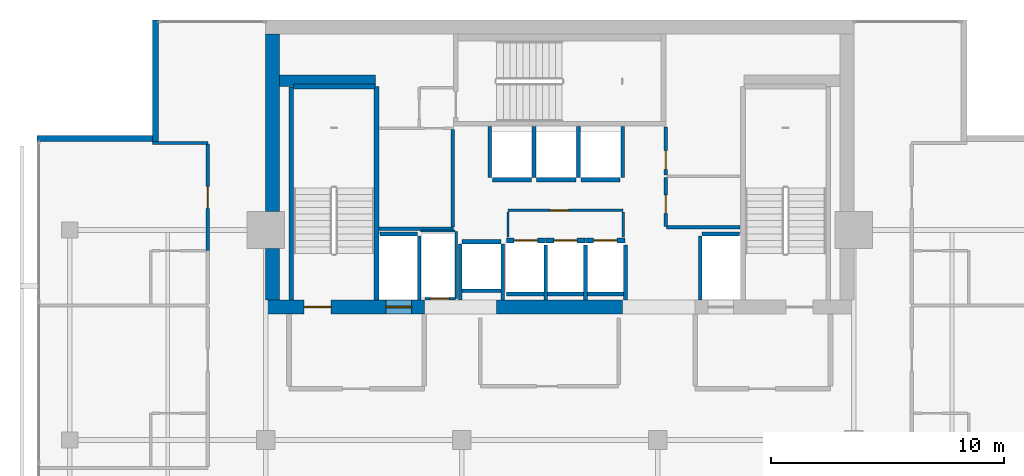
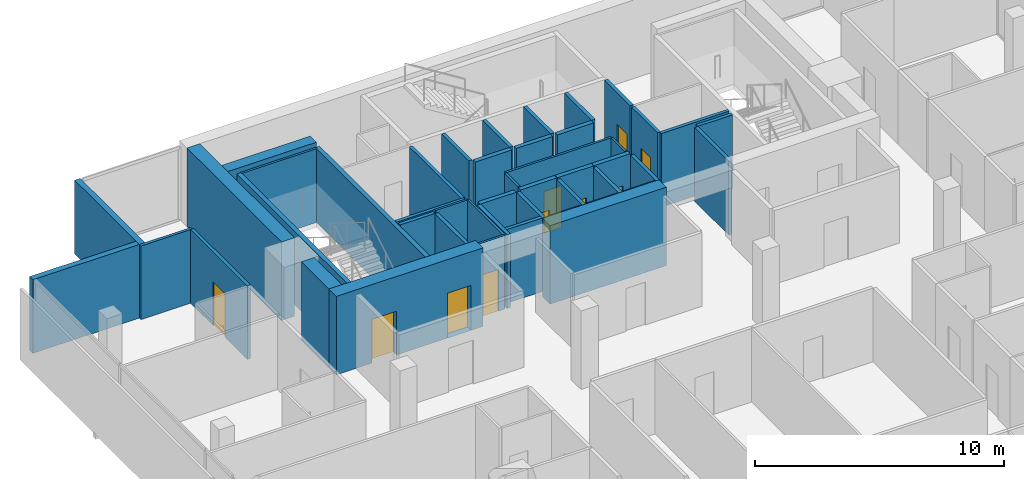
# One storey, part 22 of 26: 45 walls, 10 doors, 10 openings.
"""IFC4 building model written with IfcOpenShell, lengths in metres."""

import ifcopenshell
import ifcopenshell.guid

model = None  # the IFC model being written
_history = None  # IfcOwnerHistory: only IFC2X3 demands one
_inside = {}  # id of a spatial element -> (the spatial element, [elements in it])
_under = {}  # id of a project, library or spatial element -> (it, [spatial elements below it])
_declared = {}  # id of a project -> (the project, [libraries it declares])
_typed = {}  # id of a type object -> (the type object, [elements of that type])
_made_of = {}  # id of a material, layer set ... -> (it, [elements and type objects made of it])


def new_model(schema):
    """Start an empty IFC model of exactly this schema.

    Asked for "IFC4X3", IfcOpenShell would pick the latest addendum, in which some entities
    have other attributes; the version numbers below select the first issue.
    IFC2X3 requires an IfcOwnerHistory on every rooted entity: one is made here for all.
    """
    global model, _history
    if schema == "IFC4X3":
        model = ifcopenshell.file(schema_version=(4, 3, 0, 0))
    else:
        model = ifcopenshell.file(schema=schema)
    _inside.clear()
    _under.clear()
    _declared.clear()
    _typed.clear()
    _made_of.clear()
    _history = None
    if model.schema == "IFC2X3":
        org = make("IfcOrganization", Name="unknown")
        user = make(
            "IfcPersonAndOrganization",
            ThePerson=make("IfcPerson", FamilyName="unknown"),
            TheOrganization=org,
        )
        app = make(
            "IfcApplication",
            ApplicationDeveloper=org,
            Version="unknown",
            ApplicationFullName="unknown",
            ApplicationIdentifier="unknown",
        )
        _history = make(
            "IfcOwnerHistory",
            OwningUser=user,
            OwningApplication=app,
            ChangeAction="ADDED",
            CreationDate=0,
        )
    return model


def make(cls, **values):
    """One entity of the class cls with the attributes given. An attribute that is None is left unset."""
    return model.create_entity(
        cls, **{name: value for name, value in values.items() if value is not None}
    )


def rooted(cls, **values):
    """An entity with a GlobalId (a new one), such as an element, a storey or a relation."""
    return make(cls, GlobalId=ifcopenshell.guid.new(), OwnerHistory=_history, **values)


def si_unit(unit_type, name, prefix=None):
    """IfcSIUnit, for example si_unit("LENGTHUNIT", "METRE", prefix="MILLI")."""
    return make("IfcSIUnit", UnitType=unit_type, Prefix=prefix, Name=name)


def assignment(units):
    """IfcUnitAssignment: the units of a project."""
    return None if units is None else make("IfcUnitAssignment", Units=units)


def point(xyz):
    """IfcCartesianPoint."""
    return None if xyz is None else make("IfcCartesianPoint", Coordinates=xyz)


def direction(xyz):
    """IfcDirection."""
    return None if xyz is None else make("IfcDirection", DirectionRatios=xyz)


def frame(location, z_axis=None, x_axis=None):
    """IfcAxis2Placement3D, a coordinate frame: its origin and axes. An axis left out is left unset."""
    return make(
        "IfcAxis2Placement3D",
        Location=point(location),
        Axis=direction(z_axis),
        RefDirection=direction(x_axis),
    )


def frame_2d(location, x_axis=None):
    """IfcAxis2Placement2D, a coordinate frame in the plane: its origin and x axis."""
    return make(
        "IfcAxis2Placement2D", Location=point(location), RefDirection=direction(x_axis)
    )


def origin():
    """The frame at (0, 0, 0) with its axes left unset."""
    return frame((0.0, 0.0, 0.0))


def place(relative_to, where):
    """IfcLocalPlacement: puts the frame where relative to a parent placement (None: the world)."""
    return make(
        "IfcLocalPlacement", PlacementRelTo=relative_to, RelativePlacement=where
    )


def context(
    kind, dimensions, precision=None, world=None, true_north=None, identifier=None
):
    """IfcGeometricRepresentationContext, for example the 3D "Model" context."""
    return make(
        "IfcGeometricRepresentationContext",
        ContextIdentifier=identifier,
        ContextType=kind,
        CoordinateSpaceDimension=dimensions,
        Precision=precision,
        WorldCoordinateSystem=world,
        TrueNorth=true_north,
    )


def subcontext(parent, identifier, kind, view, scale=None):
    """IfcGeometricRepresentationSubContext, for example "Body" below "Model"."""
    return make(
        "IfcGeometricRepresentationSubContext",
        ContextIdentifier=identifier,
        ContextType=kind,
        ParentContext=parent,
        TargetScale=scale,
        TargetView=view,
    )


def project(units=None, contexts=None):
    """IfcProject with its units and contexts."""
    return rooted(
        "IfcProject",
        Name="project",
        RepresentationContexts=contexts,
        UnitsInContext=assignment(units),
    )


def spatial(cls, under=None, at=None, **own):
    """A site, building, storey or space (cls), placed at a placement, below another one or the project."""
    s = rooted(cls, ObjectPlacement=at, **own)
    if under is not None:
        _under.setdefault(under.id(), (under, []))[1].append(s)
    return s


def profile(cls, at=None, kind="AREA", **sizes):
    """A parametric profile (cls). Its sizes go by their IFC names, for example OverallWidth=200.0."""
    return make(cls, ProfileType=kind, Position=at, **sizes)


def rectangle(**sizes):
    """IfcRectangleProfileDef."""
    return profile("IfcRectangleProfileDef", **sizes)


def extrude(swept, where, along, depth):
    """IfcExtrudedAreaSolid: the profile swept, set in the frame where, extruded along a direction by depth."""
    return make(
        "IfcExtrudedAreaSolid",
        SweptArea=swept,
        Position=where,
        ExtrudedDirection=direction(along),
        Depth=depth,
    )


def shape(context_of_items, identifier, shape_type, items):
    """IfcShapeRepresentation: the items that make up one representation, for example the "Body"."""
    return make(
        "IfcShapeRepresentation",
        ContextOfItems=context_of_items,
        RepresentationIdentifier=identifier,
        RepresentationType=shape_type,
        Items=items,
    )


def material(Name=None, Category=None):
    """IfcMaterial."""
    return make("IfcMaterial", Name=Name, Category=Category)


def layer(
    of_material, thickness, ventilated=None, Name=None, Category=None, Priority=None
):
    """IfcMaterialLayer: one layer of a wall or slab, of a material (None: an air gap)."""
    return make(
        "IfcMaterialLayer",
        Material=of_material,
        LayerThickness=thickness,
        IsVentilated=ventilated,
        Name=Name,
        Category=Category,
        Priority=Priority,
    )


def layer_set(layers, Name=None):
    """IfcMaterialLayerSet."""
    return make("IfcMaterialLayerSet", MaterialLayers=layers, LayerSetName=Name)


def made_of(thing, what):
    """Note that an element or type object is made of a material, layer set ...; save() writes the relation."""
    if what is not None:
        _made_of.setdefault(what.id(), (what, []))[1].append(thing)
    return thing


def type_object(cls, material=None, **own):
    """A type object (cls), such as IfcWallType, which elements share."""
    return made_of(rooted(cls, **own), material)


def element(
    cls,
    number,
    at=None,
    inside=None,
    cuts=None,
    type_object=None,
    material=None,
    context=None,
    identifier="Body",
    shape_type=None,
    held_by="IfcProductDefinitionShape",
    body=None,
    shapes=None,
    **own,
):
    """One element of the class cls, such as IfcWall. Its Tag is "e" and its number.

    at: its placement. inside: the storey or other place that contains it. cuts: it is an
    opening in that element (IfcRelVoidsElement). A single representation is given by context,
    identifier, shape_type and body (its items); several are given by shapes. held_by: the class
    of the entity that holds the representations. save() writes the other relations.
    """
    e = rooted(cls, Tag="e%d" % number, ObjectPlacement=at, **own)
    if body is not None:
        shapes = [shape(context, identifier, shape_type, body)]
    if shapes is not None:
        e.Representation = make(held_by, Representations=shapes)
    if inside is not None:
        _inside.setdefault(inside.id(), (inside, []))[1].append(e)
    if cuts is not None:
        rooted(
            "IfcRelVoidsElement", RelatingBuildingElement=cuts, RelatedOpeningElement=e
        )
    if type_object is not None:
        _typed.setdefault(type_object.id(), (type_object, []))[1].append(e)
    return made_of(e, material)


def fill(opening, filler):
    """IfcRelFillsElement: the door or window that sits in an opening."""
    return rooted(
        "IfcRelFillsElement",
        RelatingOpeningElement=opening,
        RelatedBuildingElement=filler,
    )


def aggregate(whole, parts):
    """IfcRelAggregates: a whole, such as a stair, and the parts it consists of."""
    return rooted("IfcRelAggregates", RelatingObject=whole, RelatedObjects=parts)


def save(model, path):
    """Write the relations noted so far, then the file.

    IfcRelAggregates (storeys below a building ...), IfcRelContainedInSpatialStructure (elements
    in a storey), IfcRelDefinesByType, IfcRelAssociatesMaterial and IfcRelDeclares: one each for
    every whole, place, type object, material and project.
    """
    for whole, parts in _under.values():
        aggregate(whole, parts)
    for where, things in _inside.values():
        rooted(
            "IfcRelContainedInSpatialStructure",
            RelatedElements=things,
            RelatingStructure=where,
        )
    for kind, things in _typed.values():
        rooted("IfcRelDefinesByType", RelatedObjects=things, RelatingType=kind)
    for what, things in _made_of.values():
        rooted("IfcRelAssociatesMaterial", RelatedObjects=things, RelatingMaterial=what)
    for by, libraries in _declared.values():
        rooted("IfcRelDeclares", RelatingContext=by, RelatedDefinitions=libraries)
    model.write(path)


model = new_model("IFC4")

# Units and contexts
model_context = context("Model", 3, precision=1e-05, world=origin(), true_north=direction((0.0, 1.0)))
body_context = subcontext(model_context, "Body", "Model", "MODEL_VIEW")
ifc_project = project(units=[si_unit("LENGTHUNIT", "METRE"), si_unit("AREAUNIT", "SQUARE_METRE"), si_unit("VOLUMEUNIT", "CUBIC_METRE"), si_unit("PLANEANGLEUNIT", "RADIAN"), si_unit("MASSUNIT", "GRAM", prefix="KILO")], contexts=[model_context])

# Site, building, storey
site_placement = place(None, origin())
site = spatial("IfcSite", under=ifc_project, at=site_placement, CompositionType="ELEMENT")
building_placement = place(site_placement, origin())
building = spatial("IfcBuilding", under=site, at=building_placement, Name="Maruvema Waterfront Hotel and Observation Tower", CompositionType="ELEMENT")
storey_placement = place(building_placement, frame((0.0, 0.0, 258.64990234375)))
storey = spatial("IfcBuildingStorey", under=building, at=storey_placement, Name="L63", CompositionType="ELEMENT", Elevation=258.64990234375)

# Walls
ifc_material_1 = material(Name="Twin-stud acoustic gypsum drywall", Category="gypsum")
ifc_layer_1 = layer(ifc_material_1, 0.14990234375, Name="Acoustic Corridor and Suite Demising Wall 150 mm")
ifc_layer_set_1 = layer_set([ifc_layer_1], Name="Twin-stud acoustic gypsum drywall")
wall_type_1 = type_object("IfcWallType", Name="Acoustic Corridor and Suite Demising Wall 150 mm", PredefinedType="PARTITIONING", material=ifc_layer_set_1)
wall_1_placement = place(storey_placement, frame((30.06005859375, 45.06005859375, 0.0), z_axis=(0.0, 0.0, 1.0), x_axis=(1.0, 0.0, 0.0)))
element("IfcWall", 1, at=wall_1_placement, inside=storey, type_object=wall_type_1, Name="L63 Freed B1 South Wall 013", PredefinedType="PARTITIONING", context=body_context, shape_type="SweptSolid", body=[
    extrude(rectangle(XDim=3.179931640625, YDim=0.14990234375, at=frame_2d((1.58984375, 0.0))), origin(), (0.0, 0.0, 1.0), 3.610107421875),
])
wall_2_placement = place(storey_placement, frame((33.219970703125, 45.139892578125, 0.0), z_axis=(0.0, 0.0, 1.0), x_axis=(0.0, 1.0, 0.0)))
element("IfcWall", 2, at=wall_2_placement, inside=storey, type_object=wall_type_1, Name="L63 Freed B1 East Wall 014", PredefinedType="PARTITIONING", context=body_context, shape_type="SweptSolid", body=[
    extrude(rectangle(XDim=4.16015625, YDim=0.14990234375, at=frame_2d((2.080078125, 0.0))), origin(), (0.0, 0.0, 1.0), 3.610107421875),
])

# Wall, opening, door
wall_3_placement = place(storey_placement, frame((42.340087890625, 45.159912109375, 0.0), z_axis=(0.0, 0.0, 1.0), x_axis=(0.0, 1.0, 0.0)))
wall_3 = element("IfcWall", 3, at=wall_3_placement, inside=storey, type_object=wall_type_1, Name="L63 Freed B2 West S 018", PredefinedType="PARTITIONING", context=body_context, shape_type="SweptSolid", body=[
    extrude(rectangle(XDim=2.080078125, YDim=0.14990234375, at=frame_2d((1.0400390625, 0.0))), origin(), (0.0, 0.0, 1.0), 3.610107421875),
])
opening_1_placement = place(wall_3_placement, frame((0.550048828125, 0.0, 0.0)))
opening_1 = element("IfcOpeningElement", 4, at=opening_1_placement, cuts=wall_3, Name="Opening DR-080", PredefinedType="OPENING", context=body_context, shape_type="SweptSolid", body=[
    extrude(rectangle(XDim=0.800048828125, YDim=2.050048828125, at=frame_2d((0.39990234375, 1.02490234375))), frame((0.0, 0.0849609375, 0.0), z_axis=(0.0, -1.0, 0.0), x_axis=(1.0, 0.0, 0.0)), (0.0, 0.0, 1.0), 0.169921875),
])
ifc_material_2 = material(Name="Powder-coated steel access leaf", Category="steel")
door_type_1 = type_object("IfcDoorType", Name="Riser and Service Cupboard Door 800x2050 mm", OperationType="NOTDEFINED", PredefinedType="DOOR", material=ifc_material_2)
door_1_placement = place(opening_1_placement, frame((0.800048828125, 0.0, 0.0), z_axis=(0.0, 0.0, 1.0), x_axis=(-1.0, 0.0, 0.0)))
door_1 = element("IfcDoor", 5, at=door_1_placement, inside=storey, type_object=door_type_1, Name="L63 Butler Service Pantry Door", OperationType="SINGLE_SWING_LEFT", OverallHeight=2.050048828125, OverallWidth=0.800048828125, PredefinedType="DOOR", context=body_context, shape_type="SweptSolid", body=[
    extrude(rectangle(XDim=0.800048828125, YDim=2.050048828125, at=frame_2d((0.39990234375, 1.02490234375))), frame((0.0, 0.02490234375, 0.0), z_axis=(0.0, -1.0, 0.0), x_axis=(1.0, 0.0, 0.0)), (0.0, 0.0, 1.0), 0.050048828125),
])
fill(opening_1, door_1)

wall_4_placement = place(storey_placement, frame((42.340087890625, 47.360107421875, 0.0), z_axis=(0.0, 0.0, 1.0), x_axis=(0.0, 1.0, 0.0)))
wall_4 = element("IfcWall", 6, at=wall_4_placement, inside=storey, type_object=wall_type_1, Name="L63 Freed B2 West N 019", PredefinedType="PARTITIONING", context=body_context, shape_type="SweptSolid", body=[
    extrude(rectangle(XDim=2.059814453125, YDim=0.14990234375, at=frame_2d((1.02978515625, 0.0))), origin(), (0.0, 0.0, 1.0), 3.610107421875),
])
opening_2_placement = place(wall_4_placement, frame((0.239990234375, 0.0, 0.0)))
opening_2 = element("IfcOpeningElement", 7, at=opening_2_placement, cuts=wall_4, Name="Opening DR-080", PredefinedType="OPENING", context=body_context, shape_type="SweptSolid", body=[
    extrude(rectangle(XDim=0.800048828125, YDim=2.050048828125, at=frame_2d((0.39990234375, 1.02490234375))), frame((0.0, 0.0849609375, 0.0), z_axis=(0.0, -1.0, 0.0), x_axis=(1.0, 0.0, 0.0)), (0.0, 0.0, 1.0), 0.169921875),
])
door_2_placement = place(opening_2_placement, frame((0.800048828125, 0.0, 0.0), z_axis=(0.0, 0.0, 1.0), x_axis=(-1.0, 0.0, 0.0)))
door_2 = element("IfcDoor", 8, at=door_2_placement, inside=storey, type_object=door_type_1, Name="L63 Core IT and Linen Store Door", OperationType="SINGLE_SWING_RIGHT", OverallHeight=2.050048828125, OverallWidth=0.800048828125, PredefinedType="DOOR", context=body_context, shape_type="SweptSolid", body=[
    extrude(rectangle(XDim=0.800048828125, YDim=2.050048828125, at=frame_2d((0.39990234375, 1.02490234375))), frame((0.0, 0.02490234375, 0.0), z_axis=(0.0, -1.0, 0.0), x_axis=(1.0, 0.0, 0.0)), (0.0, 0.0, 1.0), 0.050048828125),
])
fill(opening_2, door_2)

# Wall
wall_5_placement = place(storey_placement, frame((42.3798828125, 45.1201171875, 0.0), z_axis=(0.0, 0.0, 1.0), x_axis=(1.0, 0.0, 0.0)))
element("IfcWall", 9, at=wall_5_placement, inside=storey, type_object=wall_type_1, Name="L63 Freed B2 South Wall 021", PredefinedType="PARTITIONING", context=body_context, shape_type="SweptSolid", body=[
    extrude(rectangle(XDim=3.14013671875, YDim=0.14990234375, at=frame_2d((1.570068359375, 0.0))), origin(), (0.0, 0.0, 1.0), 3.610107421875),
])

# Wall, opening, door
wall_6_placement = place(storey_placement, frame((22.719970703125, 44.11865234375, 0.0), z_axis=(0.0, 0.0, 1.0), x_axis=(0.0, 1.0, 0.0)))
wall_6 = element("IfcWall", 10, at=wall_6_placement, inside=storey, type_object=wall_type_1, Name="L63 Room L63-NW2 Corridor Wall 099", PredefinedType="PARTITIONING", context=body_context, shape_type="SweptSolid", body=[
    extrude(rectangle(XDim=4.558837890625, YDim=0.14990234375, at=frame_2d((2.279296875, 0.0))), origin(), (0.0, 0.0, 1.0), 3.610107421875),
])
opening_3_placement = place(wall_6_placement, frame((1.804443359375, 0.0, 0.0)))
opening_3 = element("IfcOpeningElement", 11, at=opening_3_placement, cuts=wall_6, Name="Opening DR-095", PredefinedType="OPENING", context=body_context, shape_type="SweptSolid", body=[
    extrude(rectangle(XDim=0.949951171875, YDim=2.14990234375, at=frame_2d((0.47509765625, 1.074951171875))), frame((0.0, 0.0849609375, 0.0), z_axis=(0.0, -1.0, 0.0), x_axis=(1.0, 0.0, 0.0)), (0.0, 0.0, 1.0), 0.169921875),
])
ifc_material_3 = material(Name="Acoustic solid-core hardwood timber leaf", Category="wood")
door_type_2 = type_object("IfcDoorType", Name="Guestroom Entrance Fire Door 950x2150 mm", OperationType="NOTDEFINED", PredefinedType="DOOR", material=ifc_material_3)
door_3_placement = place(opening_3_placement, origin())
door_3 = element("IfcDoor", 12, at=door_3_placement, inside=storey, type_object=door_type_2, Name="L63 Room L63-NW2 Entrance Door", OperationType="SINGLE_SWING_RIGHT", OverallHeight=2.14990234375, OverallWidth=0.949951171875, PredefinedType="DOOR", context=body_context, shape_type="SweptSolid", body=[
    extrude(rectangle(XDim=0.949951171875, YDim=2.14990234375, at=frame_2d((0.47509765625, 1.074951171875))), frame((0.0, 0.02490234375, 0.0), z_axis=(0.0, -1.0, 0.0), x_axis=(1.0, 0.0, 0.0)), (0.0, 0.0, 1.0), 0.050048828125),
])
fill(opening_3, door_3)

# Walls
ifc_material_4 = material(Name="Precast concrete C45/55", Category="concrete")
ifc_layer_2 = layer(ifc_material_4, 0.199951171875, Name="Core Shaft and Stairwell Enclosure Wall 200 mm")
ifc_layer_set_2 = layer_set([ifc_layer_2], Name="Precast concrete C45/55")
wall_type_2 = type_object("IfcWallType", Name="Core Shaft and Stairwell Enclosure Wall 200 mm", PredefinedType="SOLIDWALL", material=ifc_layer_set_2)
wall_7_placement = place(storey_placement, frame((29.949951171875, 42.0, 0.0), z_axis=(0.0, 0.0, 1.0), x_axis=(0.0, 1.0, 0.0)))
element("IfcWall", 13, at=wall_7_placement, inside=storey, type_object=wall_type_2, Name="L63 Stairwell ST-01 East Shaft Wall", PredefinedType="SOLIDWALL", context=body_context, shape_type="SweptSolid", body=[
    extrude(rectangle(XDim=9.14990234375, YDim=0.199951171875, at=frame_2d((4.574951171875, 0.0))), origin(), (0.0, 0.0, 1.0), 3.610107421875),
])
wall_8_placement = place(storey_placement, frame((26.300048828125, 42.0, 0.0), z_axis=(0.0, 0.0, 1.0), x_axis=(0.0, 1.0, 0.0)))
element("IfcWall", 14, at=wall_8_placement, inside=storey, type_object=wall_type_2, Name="L63 Stairwell ST-01 Shaft Lining Wall", PredefinedType="SOLIDWALL", context=body_context, shape_type="SweptSolid", body=[
    extrude(rectangle(XDim=9.1201171875, YDim=0.199951171875, at=frame_2d((4.56005859375, 0.0))), origin(), (0.0, 0.0, 1.0), 3.610107421875),
])
wall_9_placement = place(storey_placement, frame((26.3798828125, 51.14990234375, 0.0), z_axis=(0.0, 0.0, 1.0), x_axis=(1.0, 0.0, 0.0)))
element("IfcWall", 15, at=wall_9_placement, inside=storey, type_object=wall_type_2, Name="L63 Stairwell ST-01 Shaft Lining Wall", PredefinedType="SOLIDWALL", context=body_context, shape_type="SweptSolid", body=[
    extrude(rectangle(XDim=3.5, YDim=0.199951171875, at=frame_2d((1.75, 0.0))), origin(), (0.0, 0.0, 1.0), 3.610107421875),
])

# Wall, opening, door
wall_10_placement = place(storey_placement, frame((35.510009765625, 44.550048828125, 0.0), z_axis=(0.0, 0.0, 1.0), x_axis=(1.0, 0.0, 0.0)))
wall_10 = element("IfcWall", 16, at=wall_10_placement, inside=storey, type_object=wall_type_2, Name="L63 Lift LF-09 Hoistway Front Wall", PredefinedType="SOLIDWALL", context=body_context, shape_type="SweptSolid", body=[
    extrude(rectangle(XDim=1.679931640625, YDim=0.199951171875, at=frame_2d((0.83984375, 0.0))), origin(), (0.0, 0.0, 1.0), 3.610107421875),
])
opening_4_placement = place(wall_10_placement, frame((0.340087890625, 0.0, 0.0)))
opening_4 = element("IfcOpeningElement", 17, at=opening_4_placement, cuts=wall_10, Name="Opening LD-01", PredefinedType="OPENING", context=body_context, shape_type="SweptSolid", body=[
    extrude(rectangle(XDim=1.0, YDim=2.14990234375, at=frame_2d((0.5, 1.074951171875))), frame((0.0, 0.10986328125, 0.0), z_axis=(0.0, -1.0, 0.0), x_axis=(1.0, 0.0, 0.0)), (0.0, 0.0, 1.0), 0.219970703125),
])
ifc_material_5 = material(Name="Brushed stainless steel Grade 316", Category="steel")
door_type_3 = type_object("IfcDoorType", Name="Passenger Lift Sliding Landing Door 1000x2150 mm", OperationType="SLIDING_TO_LEFT", PredefinedType="DOOR", material=ifc_material_5)
door_4_placement = place(opening_4_placement, origin())
door_4 = element("IfcDoor", 18, at=door_4_placement, inside=storey, type_object=door_type_3, Name="L63 Lift LF-09 Sliding Landing Door", OperationType="SLIDING_TO_LEFT", OverallHeight=2.14990234375, OverallWidth=1.0, PredefinedType="DOOR", context=body_context, shape_type="SweptSolid", body=[
    extrude(rectangle(XDim=1.0, YDim=2.14990234375, at=frame_2d((0.5, 1.074951171875))), frame((0.0, 0.02490234375, 0.0), z_axis=(0.0, -1.0, 0.0), x_axis=(1.0, 0.0, 0.0)), (0.0, 0.0, 1.0), 0.050048828125),
])
fill(opening_4, door_4)

wall_11_placement = place(storey_placement, frame((37.2099609375, 44.550048828125, 0.0), z_axis=(0.0, 0.0, 1.0), x_axis=(1.0, 0.0, 0.0)))
wall_11 = element("IfcWall", 19, at=wall_11_placement, inside=storey, type_object=wall_type_2, Name="L63 Lift LF-10 Hoistway Front Wall", PredefinedType="SOLIDWALL", context=body_context, shape_type="SweptSolid", body=[
    extrude(rectangle(XDim=1.679931640625, YDim=0.199951171875, at=frame_2d((0.83984375, 0.0))), origin(), (0.0, 0.0, 1.0), 3.610107421875),
])
opening_5_placement = place(wall_11_placement, frame((0.340087890625, 0.0, 0.0)))
opening_5 = element("IfcOpeningElement", 20, at=opening_5_placement, cuts=wall_11, Name="Opening LD-01", PredefinedType="OPENING", context=body_context, shape_type="SweptSolid", body=[
    extrude(rectangle(XDim=1.0, YDim=2.14990234375, at=frame_2d((0.5, 1.074951171875))), frame((0.0, 0.10986328125, 0.0), z_axis=(0.0, -1.0, 0.0), x_axis=(1.0, 0.0, 0.0)), (0.0, 0.0, 1.0), 0.219970703125),
])
door_5_placement = place(opening_5_placement, origin())
door_5 = element("IfcDoor", 21, at=door_5_placement, inside=storey, type_object=door_type_3, Name="L63 Lift LF-10 Sliding Landing Door", OperationType="SLIDING_TO_LEFT", OverallHeight=2.14990234375, OverallWidth=1.0, PredefinedType="DOOR", context=body_context, shape_type="SweptSolid", body=[
    extrude(rectangle(XDim=1.0, YDim=2.14990234375, at=frame_2d((0.5, 1.074951171875))), frame((0.0, 0.02490234375, 0.0), z_axis=(0.0, -1.0, 0.0), x_axis=(1.0, 0.0, 0.0)), (0.0, 0.0, 1.0), 0.050048828125),
])
fill(opening_5, door_5)

wall_12_placement = place(storey_placement, frame((38.909912109375, 44.550048828125, 0.0), z_axis=(0.0, 0.0, 1.0), x_axis=(1.0, 0.0, 0.0)))
wall_12 = element("IfcWall", 22, at=wall_12_placement, inside=storey, type_object=wall_type_2, Name="L63 Lift LF-11 Hoistway Front Wall", PredefinedType="SOLIDWALL", context=body_context, shape_type="SweptSolid", body=[
    extrude(rectangle(XDim=1.68017578125, YDim=0.199951171875, at=frame_2d((0.840087890625, 0.0))), origin(), (0.0, 0.0, 1.0), 3.610107421875),
])
opening_6_placement = place(wall_12_placement, frame((0.340087890625, 0.0, 0.0)))
opening_6 = element("IfcOpeningElement", 23, at=opening_6_placement, cuts=wall_12, Name="Opening LD-01", PredefinedType="OPENING", context=body_context, shape_type="SweptSolid", body=[
    extrude(rectangle(XDim=1.0, YDim=2.14990234375, at=frame_2d((0.5, 1.074951171875))), frame((0.0, 0.10986328125, 0.0), z_axis=(0.0, -1.0, 0.0), x_axis=(1.0, 0.0, 0.0)), (0.0, 0.0, 1.0), 0.219970703125),
])
door_6_placement = place(opening_6_placement, origin())
door_6 = element("IfcDoor", 24, at=door_6_placement, inside=storey, type_object=door_type_3, Name="L63 Lift LF-11 Sliding Landing Door", OperationType="SLIDING_TO_LEFT", OverallHeight=2.14990234375, OverallWidth=1.0, PredefinedType="DOOR", context=body_context, shape_type="SweptSolid", body=[
    extrude(rectangle(XDim=1.0, YDim=2.14990234375, at=frame_2d((0.5, 1.074951171875))), frame((0.0, 0.02490234375, 0.0), z_axis=(0.0, -1.0, 0.0), x_axis=(1.0, 0.0, 0.0)), (0.0, 0.0, 1.0), 0.050048828125),
])
fill(opening_6, door_6)

# Walls
wall_13_placement = place(storey_placement, frame((34.909912109375, 47.14990234375, 0.0), z_axis=(0.0, 0.0, 1.0), x_axis=(1.0, 0.0, 0.0)))
element("IfcWall", 25, at=wall_13_placement, inside=storey, type_object=wall_type_2, Name="L63 Lift LF-12 Hoistway Front Wall", PredefinedType="SOLIDWALL", context=body_context, shape_type="SweptSolid", body=[
    extrude(rectangle(XDim=1.68017578125, YDim=0.199951171875, at=frame_2d((0.840087890625, 0.0))), origin(), (0.0, 0.0, 1.0), 3.610107421875),
])
for number, where, z_axis, x_axis, name in (
    (26, (36.81005859375, 47.14990234375, 0.0), (0.0, 0.0, 1.0), (1.0, 0.0, 0.0), "L63 Lift LF-13 Hoistway Front Wall"),
    (27, (38.7099609375, 47.14990234375, 0.0), (0.0, 0.0, 1.0), (1.0, 0.0, 0.0), "L63 Lift LF-14 Hoistway Front Wall"),
    (28, (33.610107421875, 44.5, 0.0), (0.0, 0.0, 1.0), (1.0, 0.0, 0.0), "L63 Lift LF-15 Hoistway Front Wall"),
):
    element("IfcWall", number, at=place(storey_placement, frame(where, z_axis=z_axis, x_axis=x_axis)), inside=storey, type_object=wall_type_2, Name=name, PredefinedType="SOLIDWALL", context=body_context, shape_type="SweptSolid", body=[
        extrude(rectangle(XDim=1.679931640625, YDim=0.199951171875, at=frame_2d((0.83984375, 0.0))), origin(), (0.0, 0.0, 1.0), 3.610107421875),
    ])
ifc_material_6 = material(Name="Concrete C70/85", Category="concrete")
ifc_layer_3 = layer(ifc_material_6, 0.5, Name="Core Shear Wall 500 mm")
ifc_layer_set_3 = layer_set([ifc_layer_3], Name="Concrete C70/85")
wall_type_3 = type_object("IfcWallType", Name="Core Shear Wall 500 mm", PredefinedType="SHEAR", material=ifc_layer_set_3)
wall_14_placement = place(storey_placement, frame((25.800048828125, 51.39990234375, 0.0), z_axis=(0.0, 0.0, 1.0), x_axis=(1.0, 0.0, 0.0)))
element("IfcWall", 29, at=wall_14_placement, inside=storey, type_object=wall_type_3, Name="L63 Internal Core Shear Wall NW 500 mm", PredefinedType="SHEAR", context=body_context, shape_type="SweptSolid", body=[
    extrude(rectangle(XDim=4.099853515625, YDim=0.5, at=frame_2d((2.0498046875, 0.0))), origin(), (0.0, 0.0, 1.0), 3.85009765625),
])

# Wall, openings, doors
ifc_material_7 = material(Name="Concrete C60/75", Category="concrete")
ifc_layer_4 = layer(ifc_material_7, 0.60009765625, Name="Core Shear Wall 600 mm")
ifc_layer_set_4 = layer_set([ifc_layer_4], Name="Concrete C60/75")
wall_type_4 = type_object("IfcWallType", Name="Core Shear Wall 600 mm", PredefinedType="SHEAR", material=ifc_layer_set_4)
wall_15_placement = place(storey_placement, frame((25.199951171875, 41.699951171875, 0.0), z_axis=(0.0, 0.0, 1.0), x_axis=(1.0, 0.0, 0.0)))
wall_15 = element("IfcWall", 30, at=wall_15_placement, inside=storey, type_object=wall_type_4, Name="L63 South-West Core Shear Wall", PredefinedType="SHEAR", context=body_context, shape_type="SweptSolid", body=[
    extrude(rectangle(XDim=6.800048828125, YDim=0.60009765625, at=frame_2d((3.39990234375, 0.0))), origin(), (0.0, 0.0, 1.0), 3.85009765625),
])
opening_7_placement = place(wall_15_placement, frame((1.64990234375, 0.0, 0.0)))
opening_7 = element("IfcOpeningElement", 31, at=opening_7_placement, cuts=wall_15, Name="Opening SD-01", PredefinedType="OPENING", context=body_context, shape_type="SweptSolid", body=[
    extrude(rectangle(XDim=1.14990234375, YDim=2.14990234375, at=frame_2d((0.574951171875, 1.074951171875))), frame((0.0, 0.31005859375, 0.0), z_axis=(0.0, -1.0, 0.0), x_axis=(1.0, 0.0, 0.0)), (0.0, 0.0, 1.0), 0.6201171875),
])
opening_8_placement = place(wall_15_placement, frame((5.14990234375, 0.0, 0.0)))
opening_8 = element("IfcOpeningElement", 32, at=opening_8_placement, cuts=wall_15, Name="Opening LD-03", PredefinedType="OPENING", context=body_context, shape_type="SweptSolid", body=[
    extrude(rectangle(XDim=1.10009765625, YDim=2.199951171875, at=frame_2d((0.550048828125, 1.10009765625))), frame((0.0, 0.31005859375, 0.0), z_axis=(0.0, -1.0, 0.0), x_axis=(1.0, 0.0, 0.0)), (0.0, 0.0, 1.0), 0.6201171875),
])
ifc_material_8 = material(Name="Fire-rated galvanised steel leaf", Category="steel")
door_type_4 = type_object("IfcDoorType", Name="Exit Stair Fire Door 1150x2150 mm", OperationType="NOTDEFINED", PredefinedType="DOOR", material=ifc_material_8)
door_7_placement = place(opening_7_placement, origin())
door_7 = element("IfcDoor", 33, at=door_7_placement, inside=storey, type_object=door_type_4, Name="L63 Exit Stair ST-01 Fire Door", OperationType="SINGLE_SWING_LEFT", OverallHeight=2.14990234375, OverallWidth=1.14990234375, PredefinedType="DOOR", context=body_context, shape_type="SweptSolid", body=[
    extrude(rectangle(XDim=1.14990234375, YDim=2.14990234375, at=frame_2d((0.574951171875, 1.074951171875))), frame((0.0, 0.02490234375, 0.0), z_axis=(0.0, -1.0, 0.0), x_axis=(1.0, 0.0, 0.0)), (0.0, 0.0, 1.0), 0.050048828125),
])
fill(opening_7, door_7)
ifc_material_9 = material(Name="Brushed stainless steel Grade 316", Category="steel")
door_type_5 = type_object("IfcDoorType", Name="Firefighting Lift Sliding Landing Door 1100x2200 mm", OperationType="SLIDING_TO_LEFT", PredefinedType="DOOR", material=ifc_material_9)
door_8_placement = place(opening_8_placement, frame((1.10009765625, 0.0, 0.0), z_axis=(0.0, 0.0, 1.0), x_axis=(-1.0, 0.0, 0.0)))
door_8 = element("IfcDoor", 34, at=door_8_placement, inside=storey, type_object=door_type_5, Name="L63 Firefighting Lift FL-01 Landing Door", OperationType="SLIDING_TO_LEFT", OverallHeight=2.199951171875, OverallWidth=1.10009765625, PredefinedType="DOOR", context=body_context, shape_type="SweptSolid", body=[
    extrude(rectangle(XDim=1.10009765625, YDim=2.199951171875, at=frame_2d((0.550048828125, 1.10009765625))), frame((0.0, 0.02490234375, 0.0), z_axis=(0.0, -1.0, 0.0), x_axis=(1.0, 0.0, 0.0)), (0.0, 0.0, 1.0), 0.050048828125),
])
fill(opening_8, door_8)

# Walls
wall_16_placement = place(storey_placement, frame((35.10009765625, 41.699951171875, 0.0), z_axis=(0.0, 0.0, 1.0), x_axis=(1.0, 0.0, 0.0)))
element("IfcWall", 35, at=wall_16_placement, inside=storey, type_object=wall_type_4, Name="L63 South-Central Core Shear Wall", PredefinedType="SHEAR", context=body_context, shape_type="SweptSolid", body=[
    extrude(rectangle(XDim=5.39990234375, YDim=0.60009765625, at=frame_2d((2.699951171875, 0.0))), origin(), (0.0, 0.0, 1.0), 3.85009765625),
])
wall_17_placement = place(storey_placement, frame((25.5, 42.0, 0.0), z_axis=(0.0, 0.0, 1.0), x_axis=(0.0, 1.0, 0.0)))
element("IfcWall", 36, at=wall_17_placement, inside=storey, type_object=wall_type_4, Name="L63 West-South Core Shear Wall", PredefinedType="SHEAR", context=body_context, shape_type="SweptSolid", body=[
    extrude(rectangle(XDim=2.199951171875, YDim=0.60009765625, at=frame_2d((1.10009765625, 0.0))), origin(), (0.0, 0.0, 1.0), 3.85009765625),
])
wall_18_placement = place(storey_placement, frame((25.5, 45.800048828125, 0.0), z_axis=(0.0, 0.0, 1.0), x_axis=(0.0, 1.0, 0.0)))
element("IfcWall", 37, at=wall_18_placement, inside=storey, type_object=wall_type_4, Name="L63 West-North Core Shear Wall", PredefinedType="SHEAR", context=body_context, shape_type="SweptSolid", body=[
    extrude(rectangle(XDim=7.599853515625, YDim=0.60009765625, at=frame_2d((3.7998046875, 0.0))), origin(), (0.0, 0.0, 1.0), 3.85009765625),
])

# Wall, opening, door
ifc_material_10 = material(Name="Moisture-resistant cement-board drywall", Category="gypsum")
ifc_layer_5 = layer(ifc_material_10, 0.10009765625, Name="En-Suite Moisture-Resistant Partition 100 mm")
ifc_layer_set_5 = layer_set([ifc_layer_5], Name="Moisture-resistant cement-board drywall")
wall_type_5 = type_object("IfcWallType", Name="En-Suite Moisture-Resistant Partition 100 mm", PredefinedType="PARTITIONING", material=ifc_layer_set_5)
wall_19_placement = place(storey_placement, frame((32.02001953125, 42.06005859375, 0.0), z_axis=(0.0, 0.0, 1.0), x_axis=(1.0, 0.0, 0.0)))
wall_19 = element("IfcWall", 38, at=wall_19_placement, inside=storey, type_object=wall_type_5, Name="L63 Telecom Riser South Wall 007", PredefinedType="PARTITIONING", context=body_context, shape_type="SweptSolid", body=[
    extrude(rectangle(XDim=1.320068359375, YDim=0.10009765625, at=frame_2d((0.66015625, 0.0))), origin(), (0.0, 0.0, 1.0), 3.610107421875),
])
opening_9_placement = place(wall_19_placement, frame((0.239990234375, 0.0, 0.0)))
opening_9 = element("IfcOpeningElement", 39, at=opening_9_placement, cuts=wall_19, Name="Opening DR-080", PredefinedType="OPENING", context=body_context, shape_type="SweptSolid", body=[
    extrude(rectangle(XDim=0.800048828125, YDim=2.050048828125, at=frame_2d((0.39990234375, 1.02490234375))), frame((0.0, 0.06005859375, 0.0), z_axis=(0.0, -1.0, 0.0), x_axis=(1.0, 0.0, 0.0)), (0.0, 0.0, 1.0), 0.1201171875),
])
door_9_placement = place(opening_9_placement, frame((0.800048828125, 0.0, 0.0), z_axis=(0.0, 0.0, 1.0), x_axis=(-1.0, 0.0, 0.0)))
door_9 = element("IfcDoor", 40, at=door_9_placement, inside=storey, type_object=door_type_1, Name="L63 Telecom Riser Door", OperationType="SINGLE_SWING_LEFT", OverallHeight=2.050048828125, OverallWidth=0.800048828125, PredefinedType="DOOR", context=body_context, shape_type="SweptSolid", body=[
    extrude(rectangle(XDim=0.800048828125, YDim=2.050048828125, at=frame_2d((0.39990234375, 1.02490234375))), frame((0.0, 0.02490234375, 0.0), z_axis=(0.0, -1.0, 0.0), x_axis=(1.0, 0.0, 0.0)), (0.0, 0.0, 1.0), 0.050048828125),
])
fill(opening_9, door_9)

# Walls
wall_20_placement = place(storey_placement, frame((31.840087890625, 44.9599609375, 0.0), z_axis=(0.0, 0.0, 1.0), x_axis=(1.0, 0.0, 0.0)))
element("IfcWall", 41, at=wall_20_placement, inside=storey, type_object=wall_type_5, Name="L63 Telecom Riser North Wall 008", PredefinedType="PARTITIONING", context=body_context, shape_type="SweptSolid", body=[
    extrude(rectangle(XDim=1.47998046875, YDim=0.10009765625, at=frame_2d((0.739990234375, 0.0))), origin(), (0.0, 0.0, 1.0), 3.610107421875),
])
wall_21_placement = place(storey_placement, frame((33.360107421875, 42.06005859375, 0.0), z_axis=(0.0, 0.0, 1.0), x_axis=(0.0, 1.0, 0.0)))
element("IfcWall", 42, at=wall_21_placement, inside=storey, type_object=wall_type_5, Name="L63 Telecom Riser East Wall 009", PredefinedType="PARTITIONING", context=body_context, shape_type="SweptSolid", body=[
    extrude(rectangle(XDim=2.8798828125, YDim=0.10009765625, at=frame_2d((1.43994140625, 0.0))), origin(), (0.0, 0.0, 1.0), 3.610107421875),
])

# Wall, opening, door
wall_22_placement = place(storey_placement, frame((35.580078125, 45.840087890625, 0.0), z_axis=(0.0, 0.0, 1.0), x_axis=(1.0, 0.0, 0.0)))
wall_22 = element("IfcWall", 43, at=wall_22_placement, inside=storey, type_object=wall_type_5, Name="L63 Core Closet K0 North 010", PredefinedType="PARTITIONING", context=body_context, shape_type="SweptSolid", body=[
    extrude(rectangle(XDim=4.93994140625, YDim=0.10009765625, at=frame_2d((2.469970703125, 0.0))), origin(), (0.0, 0.0, 1.0), 3.610107421875),
])
opening_10_placement = place(wall_22_placement, frame((1.800048828125, 0.0, 0.0)))
opening_10 = element("IfcOpeningElement", 44, at=opening_10_placement, cuts=wall_22, Name="Opening DR-080", PredefinedType="OPENING", context=body_context, shape_type="SweptSolid", body=[
    extrude(rectangle(XDim=0.800048828125, YDim=2.050048828125, at=frame_2d((0.39990234375, 1.02490234375))), frame((0.0, 0.06005859375, 0.0), z_axis=(0.0, -1.0, 0.0), x_axis=(1.0, 0.0, 0.0)), (0.0, 0.0, 1.0), 0.1201171875),
])
door_10_placement = place(opening_10_placement, origin())
door_10 = element("IfcDoor", 45, at=door_10_placement, inside=storey, type_object=door_type_1, Name="L63 Core Electrical Closet Door", OperationType="SINGLE_SWING_RIGHT", OverallHeight=2.050048828125, OverallWidth=0.800048828125, PredefinedType="DOOR", context=body_context, shape_type="SweptSolid", body=[
    extrude(rectangle(XDim=0.800048828125, YDim=2.050048828125, at=frame_2d((0.39990234375, 1.02490234375))), frame((0.0, 0.02490234375, 0.0), z_axis=(0.0, -1.0, 0.0), x_axis=(1.0, 0.0, 0.0)), (0.0, 0.0, 1.0), 0.050048828125),
])
fill(opening_10, door_10)

# Walls
for number, where, z_axis, x_axis, name in (
    (46, (35.580078125, 44.699951171875, 0.0), (0.0, 0.0, 1.0), (0.0, 1.0, 0.0), "L63 Core Closet K0 West 011"),
    (47, (40.52001953125, 44.699951171875, 0.0), (0.0, 0.0, 1.0), (0.0, 1.0, 0.0), "L63 Core Closet K0 East 012"),
):
    element("IfcWall", number, at=place(storey_placement, frame(where, z_axis=z_axis, x_axis=x_axis)), inside=storey, type_object=wall_type_5, Name=name, PredefinedType="PARTITIONING", context=body_context, shape_type="SweptSolid", body=[
        extrude(rectangle(XDim=1.080078125, YDim=0.10009765625, at=frame_2d((0.5400390625, 0.0))), origin(), (0.0, 0.0, 1.0), 3.610107421875),
    ])
ifc_material_11 = material(Name="Precast concrete C45/55 with honed Pernambuco granite facing", Category="masonry")
ifc_layer_6 = layer(ifc_material_11, 0.260009765625, Name="Exterior Granite Clad Spandrel and Pier Wall 260 mm")
ifc_layer_set_6 = layer_set([ifc_layer_6], Name="Precast concrete C45/55 with honed Pernambuco granite facing")
wall_type_6 = type_object("IfcWallType", Name="Exterior Granite Clad Spandrel and Pier Wall 260 mm", PredefinedType="SOLIDWALL", material=ifc_layer_set_6)
wall_23_placement = place(storey_placement, frame((20.469970703125, 48.800048828125, 0.0), z_axis=(0.0, 0.0, 1.0), x_axis=(0.0, 1.0, 0.0)))
element("IfcWall", 48, at=wall_23_placement, inside=storey, type_object=wall_type_6, Name="L63 Corner Notch Granite Pier Wall NW1", PredefinedType="SOLIDWALL", context=body_context, shape_type="SweptSolid", body=[
    extrude(rectangle(XDim=5.199951171875, YDim=0.260009765625, at=frame_2d((2.60009765625, 0.0))), origin(), (0.0, 0.0, 1.0), 3.610107421875),
])
wall_24_placement = place(storey_placement, frame((15.39990234375, 48.929931640625, 0.0), z_axis=(0.0, 0.0, 1.0), x_axis=(1.0, 0.0, 0.0)))
element("IfcWall", 49, at=wall_24_placement, inside=storey, type_object=wall_type_6, Name="L63 Corner Notch Granite Pier Wall NW2", PredefinedType="SOLIDWALL", context=body_context, shape_type="SweptSolid", body=[
    extrude(rectangle(XDim=5.2001953125, YDim=0.260009765625, at=frame_2d((2.60009765625, 0.0))), origin(), (0.0, 0.0, 1.0), 3.610107421875),
])
ifc_material_12 = material(Name="Acoustic gypsum plasterboard drywall", Category="gypsum")
ifc_layer_7 = layer(ifc_material_12, 0.125, Name="Guestroom Acoustic Demising Wall 125 mm")
ifc_layer_set_7 = layer_set([ifc_layer_7], Name="Acoustic gypsum plasterboard drywall")
wall_type_7 = type_object("IfcWallType", Name="Guestroom Acoustic Demising Wall 125 mm", PredefinedType="PARTITIONING", material=ifc_layer_set_7)
wall_25_placement = place(storey_placement, frame((20.340087890625, 48.737548828125, 0.0), z_axis=(0.0, 0.0, 1.0), x_axis=(1.0, 0.0, 0.0)))
element("IfcWall", 50, at=wall_25_placement, inside=storey, type_object=wall_type_7, Name="L63 Z3 NW Top End 086", PredefinedType="PARTITIONING", context=body_context, shape_type="SweptSolid", body=[
    extrude(rectangle(XDim=2.3798828125, YDim=0.125, at=frame_2d((1.18994140625, 0.0))), origin(), (0.0, 0.0, 1.0), 3.610107421875),
])
ifc_material_13 = material(Name="Precast concrete C45/55", Category="concrete")
ifc_layer_8 = layer(ifc_material_13, 0.159912109375, Name="Lift Hoistway Divider Wall 160 mm")
ifc_layer_set_8 = layer_set([ifc_layer_8], Name="Precast concrete C45/55")
wall_type_8 = type_object("IfcWallType", Name="Lift Hoistway Divider Wall 160 mm", PredefinedType="SOLIDWALL", material=ifc_layer_set_8)
wall_26_placement = place(storey_placement, frame((30.10009765625, 44.830078125, 0.0), z_axis=(0.0, 0.0, 1.0), x_axis=(1.0, 0.0, 0.0)))
element("IfcWall", 51, at=wall_26_placement, inside=storey, type_object=wall_type_8, Name="L63 Lift FL-01 Rear Hoistway Wall", PredefinedType="SOLIDWALL", context=body_context, shape_type="SweptSolid", body=[
    extrude(rectangle(XDim=1.599853515625, YDim=0.159912109375, at=frame_2d((0.7998046875, 0.0))), origin(), (0.0, 0.0, 1.0), 3.610107421875),
])
wall_27_placement = place(storey_placement, frame((31.780029296875, 42.0, 0.0), z_axis=(0.0, 0.0, 1.0), x_axis=(0.0, 1.0, 0.0)))
element("IfcWall", 52, at=wall_27_placement, inside=storey, type_object=wall_type_8, Name="L63 Lift FL-01 Inner Hoistway Wall", PredefinedType="SOLIDWALL", context=body_context, shape_type="SweptSolid", body=[
    extrude(rectangle(XDim=2.739990234375, YDim=0.159912109375, at=frame_2d((1.3701171875, 0.0))), origin(), (0.0, 0.0, 1.0), 3.610107421875),
])
wall_28_placement = place(storey_placement, frame((43.89990234375, 44.830078125, 0.0), z_axis=(0.0, 0.0, 1.0), x_axis=(1.0, 0.0, 0.0)))
element("IfcWall", 53, at=wall_28_placement, inside=storey, type_object=wall_type_8, Name="L63 Lift FL-02 Rear Hoistway Wall", PredefinedType="SOLIDWALL", context=body_context, shape_type="SweptSolid", body=[
    extrude(rectangle(XDim=1.60009765625, YDim=0.159912109375, at=frame_2d((0.800048828125, 0.0))), origin(), (0.0, 0.0, 1.0), 3.610107421875),
])
wall_29_placement = place(storey_placement, frame((43.820068359375, 42.0, 0.0), z_axis=(0.0, 0.0, 1.0), x_axis=(0.0, 1.0, 0.0)))
element("IfcWall", 54, at=wall_29_placement, inside=storey, type_object=wall_type_8, Name="L63 Lift FL-02 Inner Hoistway Wall", PredefinedType="SOLIDWALL", context=body_context, shape_type="SweptSolid", body=[
    extrude(rectangle(XDim=2.739990234375, YDim=0.159912109375, at=frame_2d((1.3701171875, 0.0))), origin(), (0.0, 0.0, 1.0), 3.610107421875),
])
for number, where, z_axis, x_axis, name in (
    (55, (37.199951171875, 42.0, 0.0), (0.0, 0.0, 1.0), (0.0, 1.0, 0.0), "L63 Hoistway Divider Wall"),
    (56, (38.89990234375, 42.0, 0.0), (0.0, 0.0, 1.0), (0.0, 1.0, 0.0), "L63 Hoistway Divider Wall"),
    (57, (40.6201171875, 42.0, 0.0), (0.0, 0.0, 1.0), (0.0, 1.0, 0.0), "L63 Hoistway Divider Wall"),
):
    element("IfcWall", number, at=place(storey_placement, frame(where, z_axis=z_axis, x_axis=x_axis)), inside=storey, type_object=wall_type_8, Name=name, PredefinedType="SOLIDWALL", context=body_context, shape_type="SweptSolid", body=[
        extrude(rectangle(XDim=2.35009765625, YDim=0.159912109375, at=frame_2d((1.175048828125, 0.0))), origin(), (0.0, 0.0, 1.0), 3.610107421875),
    ])
wall_30_placement = place(storey_placement, frame((35.52001953125, 42.260009765625, 0.0), z_axis=(0.0, 0.0, 1.0), x_axis=(1.0, 0.0, 0.0)))
element("IfcWall", 58, at=wall_30_placement, inside=storey, type_object=wall_type_8, Name="L63 Hoistway Divider Wall", PredefinedType="SOLIDWALL", context=body_context, shape_type="SweptSolid", body=[
    extrude(rectangle(XDim=5.02001953125, YDim=0.159912109375, at=frame_2d((2.510009765625, 0.0))), origin(), (0.0, 0.0, 1.0), 3.610107421875),
])
for number, where, z_axis, x_axis, name in (
    (59, (34.800048828125, 47.25, 0.0), (0.0, 0.0, 1.0), (0.0, 1.0, 0.0), "L63 Hoistway Divider Wall"),
    (60, (36.699951171875, 47.25, 0.0), (0.0, 0.0, 1.0), (0.0, 1.0, 0.0), "L63 Hoistway Divider Wall"),
    (61, (38.60009765625, 47.25, 0.0), (0.0, 0.0, 1.0), (0.0, 1.0, 0.0), "L63 Hoistway Divider Wall"),
    (62, (40.5, 47.25, 0.0), (0.0, 0.0, 1.0), (0.0, 1.0, 0.0), "L63 Hoistway Divider Wall"),
):
    element("IfcWall", number, at=place(storey_placement, frame(where, z_axis=z_axis, x_axis=x_axis)), inside=storey, type_object=wall_type_8, Name=name, PredefinedType="SOLIDWALL", context=body_context, shape_type="SweptSolid", body=[
        extrude(rectangle(XDim=2.18994140625, YDim=0.159912109375, at=frame_2d((1.094970703125, 0.0))), origin(), (0.0, 0.0, 1.0), 3.610107421875),
    ])
for number, where, z_axis, x_axis, name in (
    (63, (33.5400390625, 42.0, 0.0), (0.0, 0.0, 1.0), (0.0, 1.0, 0.0), "L63 Hoistway Divider Wall"),
    (64, (35.360107421875, 42.0, 0.0), (0.0, 0.0, 1.0), (0.0, 1.0, 0.0), "L63 Hoistway Divider Wall"),
):
    element("IfcWall", number, at=place(storey_placement, frame(where, z_axis=z_axis, x_axis=x_axis)), inside=storey, type_object=wall_type_8, Name=name, PredefinedType="SOLIDWALL", context=body_context, shape_type="SweptSolid", body=[
        extrude(rectangle(XDim=2.39990234375, YDim=0.159912109375, at=frame_2d((1.199951171875, 0.0))), origin(), (0.0, 0.0, 1.0), 3.610107421875),
    ])
wall_31_placement = place(storey_placement, frame((33.6201171875, 42.39990234375, 0.0), z_axis=(0.0, 0.0, 1.0), x_axis=(1.0, 0.0, 0.0)))
element("IfcWall", 65, at=wall_31_placement, inside=storey, type_object=wall_type_8, Name="L63 Hoistway Divider Wall", PredefinedType="SOLIDWALL", context=body_context, shape_type="SweptSolid", body=[
    extrude(rectangle(XDim=1.659912109375, YDim=0.159912109375, at=frame_2d((0.830078125, 0.0))), origin(), (0.0, 0.0, 1.0), 3.610107421875),
])

save(model, "model.ifc")
